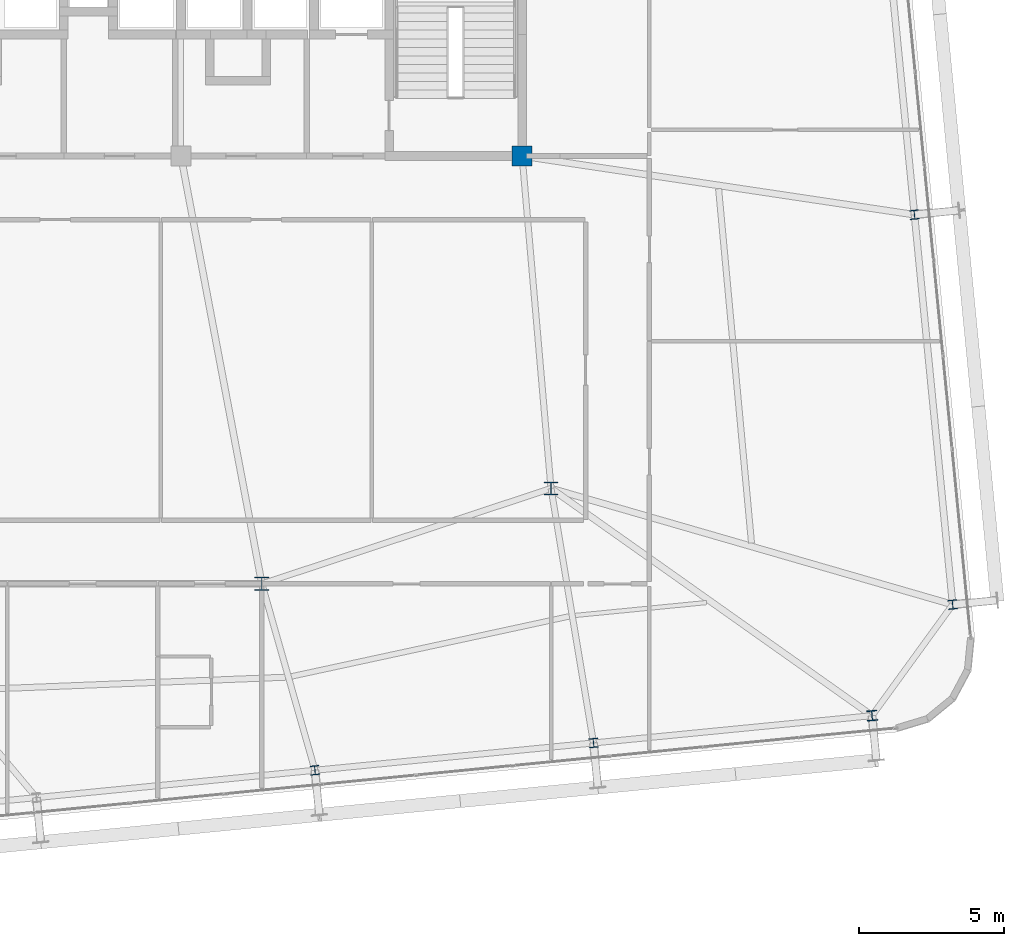
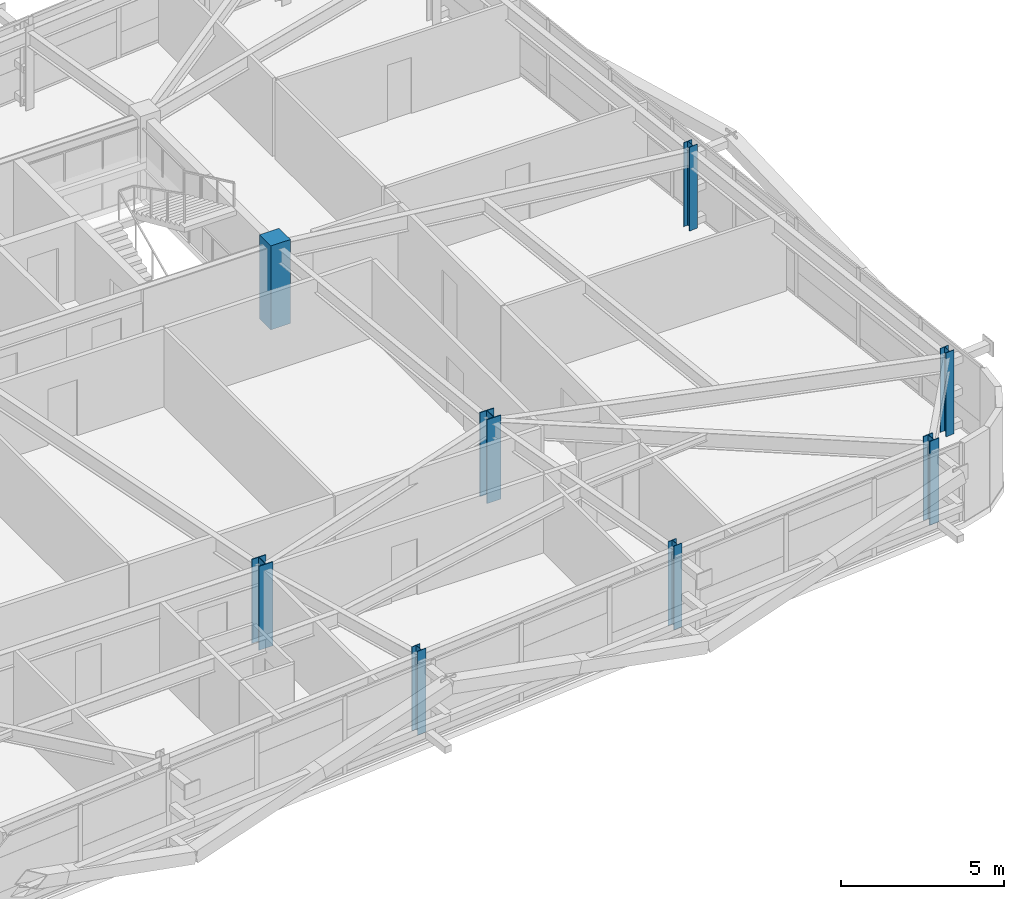
# One storey, part 2 of 52: 8 columns.
"""IFC4 building model written with IfcOpenShell, lengths in metres."""

from ifc_helpers import new_model, si_unit, direction, frame, origin, origin_2d, place, context, subcontext, project, spatial, rectangle, i_section, extrude, source, transform, mapped, material, material_profile, profile_set, type_object, element, save


model = new_model("IFC4")

# Units and contexts
model_context = context("Model", 3, precision=1e-05, world=origin(), true_north=direction((0.0, 1.0)))
body_context = subcontext(model_context, "Body", "Model", "MODEL_VIEW")
ifc_project = project(units=[si_unit("LENGTHUNIT", "METRE"), si_unit("AREAUNIT", "SQUARE_METRE"), si_unit("VOLUMEUNIT", "CUBIC_METRE"), si_unit("PLANEANGLEUNIT", "RADIAN"), si_unit("MASSUNIT", "GRAM", prefix="KILO")], contexts=[model_context])

# Site, building, storey
site_placement = place(None, origin())
site = spatial("IfcSite", under=ifc_project, at=site_placement, CompositionType="ELEMENT")
building_placement = place(site_placement, origin())
building = spatial("IfcBuilding", under=site, at=building_placement, Name="Taldren Reach Tower", CompositionType="ELEMENT")
storey_placement = place(building_placement, frame((0.0, 0.0, 93.449951171875)))
storey = spatial("IfcBuildingStorey", under=building, at=storey_placement, Name="L28", CompositionType="ELEMENT", Elevation=93.449951171875)

# Columns
ifc_material_1 = material(Name="Steel Gr 350 (350PLUS)", Category="steel")
ifc_material_profile_1 = material_profile(ifc_material_1, i_section(OverallWidth=0.5, OverallDepth=0.464111328125, WebThickness=0.02197265625, FlangeThickness=0.033935546875, at=origin_2d()), Name="500WC340")
ifc_profile_set_1 = profile_set([ifc_material_profile_1], Name="Steel Gr 350 (350PLUS)")
column_type_1 = type_object("IfcColumnType", Name="COL-WC500B", PredefinedType="COLUMN", material=ifc_profile_set_1)
shared_shape_1 = source(origin(), body_context, "Body", "SweptSolid", [
    extrude(i_section(OverallWidth=0.5, OverallDepth=0.464111328125, WebThickness=0.02197265625, FlangeThickness=0.033935546875, at=origin_2d()), origin(), (0.0, 0.0, 1.0), 3.150146484375),
])
for number, where, z_axis, x_axis, name in (
    (1, (42.0, 9.199951171875, 0.0), (0.0, 0.0, 1.0), (1.0, 0.0, 0.0), "Mega column MC-PJE L28"),
    (2, (52.0, 12.5, 0.0), (0.0, 0.0, 1.0), (1.0, 0.0, 0.0), "Mega column MC-SE L28"),
):
    element("IfcColumn", number, at=place(storey_placement, frame(where, z_axis=z_axis, x_axis=x_axis)), inside=storey, type_object=column_type_1, Name=name, PredefinedType="COLUMN", context=body_context, shape_type="MappedRepresentation", body=[
        mapped(shared_shape_1, transform((0.0, 0.0, 0.0), scale=1.0)),
    ])
ifc_material_2 = material(Name="Concrete S65 (65 MPa)", Category="concrete")
ifc_material_profile_2 = material_profile(ifc_material_2, rectangle(XDim=0.699951171875, YDim=0.699951171875, at=origin_2d()), Name="RC-700x700")
ifc_profile_set_2 = profile_set([ifc_material_profile_2], Name="Concrete S65 (65 MPa)")
column_type_2 = type_object("IfcColumnType", Name="COL-RC700", PredefinedType="COLUMN", material=ifc_profile_set_2)
shared_shape_2 = source(origin(), body_context, "Body", "SweptSolid", [
    extrude(rectangle(XDim=0.699951171875, YDim=0.699951171875, at=origin_2d()), origin(), (0.0, 0.0, 1.0), 3.150146484375),
])
column_1_placement = place(storey_placement, frame((51.0, 24.0, 0.0), z_axis=(0.0, 0.0, 1.0), x_axis=(1.0, 0.0, 0.0)))
element("IfcColumn", 3, at=column_1_placement, inside=storey, type_object=column_type_2, Name="Mega column MC-C4 L28", PredefinedType="COLUMN", context=body_context, shape_type="MappedRepresentation", body=[
    mapped(shared_shape_2, transform((0.0, 0.0, 0.0), scale=1.0)),
])
ifc_material_profile_3 = material_profile(ifc_material_1, i_section(OverallWidth=0.35009765625, OverallDepth=0.35595703125, WebThickness=0.01806640625, FlangeThickness=0.028076171875, at=origin_2d()), Name="350WC197")
ifc_profile_set_3 = profile_set([ifc_material_profile_3], Name="Steel Gr 350 (350PLUS)")
column_type_3 = type_object("IfcColumnType", Name="COL-WC350", PredefinedType="COLUMN", material=ifc_profile_set_3)
shared_shape_3 = source(origin(), body_context, "Body", "SweptSolid", [
    extrude(i_section(OverallWidth=0.35009765625, OverallDepth=0.35595703125, WebThickness=0.01806640625, FlangeThickness=0.028076171875, at=origin_2d()), origin(), (0.0, 0.0, 1.0), 3.150146484375),
])
column_2_placement = place(storey_placement, frame((63.103271484375, 4.64306640625, 0.0), z_axis=(0.0, 0.0, 1.0), x_axis=(0.995227399982, 0.097582899759, 0.0)))
element("IfcColumn", 4, at=column_2_placement, inside=storey, type_object=column_type_3, Name="Block B2 perimeter column S6 L28", PredefinedType="COLUMN", context=body_context, shape_type="MappedRepresentation", body=[
    mapped(shared_shape_3, transform((0.0, 0.0, 0.0), scale=1.0)),
])
ifc_material_profile_4 = material_profile(ifc_material_1, i_section(OverallWidth=0.306884765625, OverallDepth=0.31494140625, WebThickness=0.011962890625, FlangeThickness=0.018798828125, at=origin_2d()), Name="310UC118")
ifc_profile_set_4 = profile_set([ifc_material_profile_4], Name="Steel Gr 350 (350PLUS)")
column_type_4 = type_object("IfcColumnType", Name="COL-UC310B", PredefinedType="COLUMN", material=ifc_profile_set_4)
shared_shape_4 = source(origin(), body_context, "Body", "SweptSolid", [
    extrude(i_section(OverallWidth=0.306884765625, OverallDepth=0.31494140625, WebThickness=0.011962890625, FlangeThickness=0.018798828125, at=origin_2d()), origin(), (0.0, 0.0, 1.0), 3.150146484375),
])
for number, where, z_axis, x_axis, name in (
    (5, (43.83544921875, 2.75390625, 0.0), (0.0, 0.0, 1.0), (0.995227399982, 0.097582899759, 0.0), "Block B2 perimeter column S4 L28"),
    (6, (53.469482421875, 3.698486328125, 0.0), (0.0, 0.0, 1.0), (0.995227399982, 0.097582899759, 0.0), "Block B2 perimeter column S5 L28"),
    (7, (65.8916015625, 8.483642578125, 0.0), (0.0, 0.0, 1.0), (0.995227399982, 0.097582899759, 0.0), "Block B2 perimeter column E1 L28"),
    (8, (64.569580078125, 21.968994140625, 0.0), (0.0, 0.0, 1.0), (0.995227399982, 0.097582899759, 0.0), "Block B2 perimeter column E2 L28"),
):
    element("IfcColumn", number, at=place(storey_placement, frame(where, z_axis=z_axis, x_axis=x_axis)), inside=storey, type_object=column_type_4, Name=name, PredefinedType="COLUMN", context=body_context, shape_type="MappedRepresentation", body=[
        mapped(shared_shape_4, transform((0.0, 0.0, 0.0), scale=1.0)),
    ])

save(model, "model.ifc")
